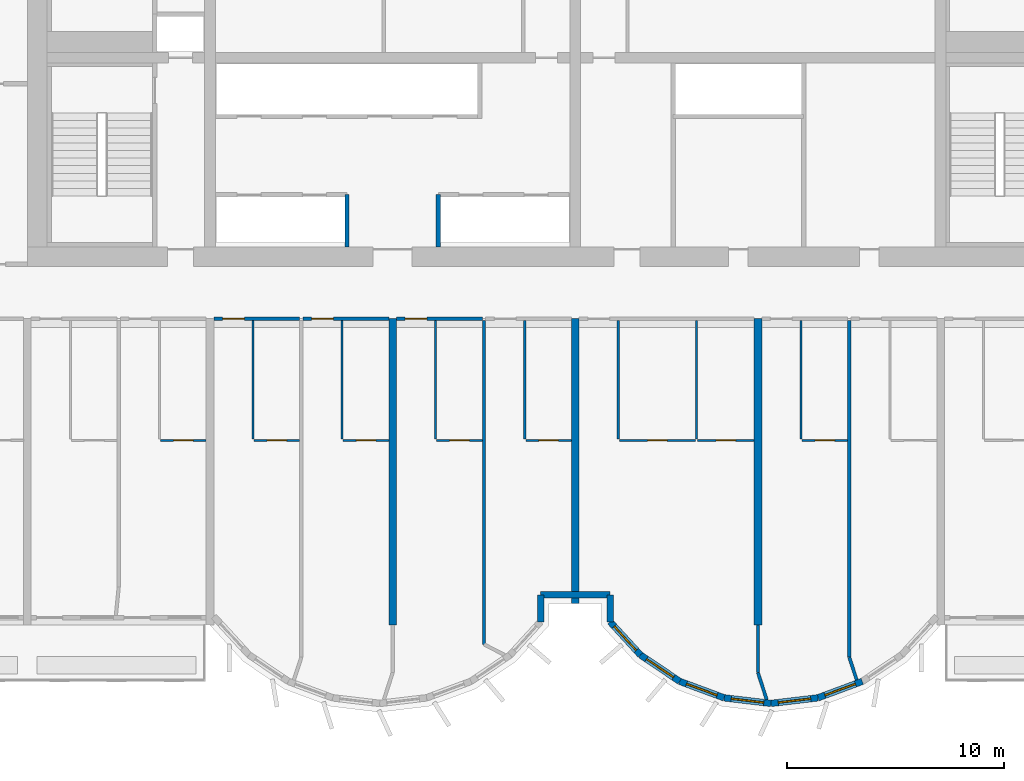
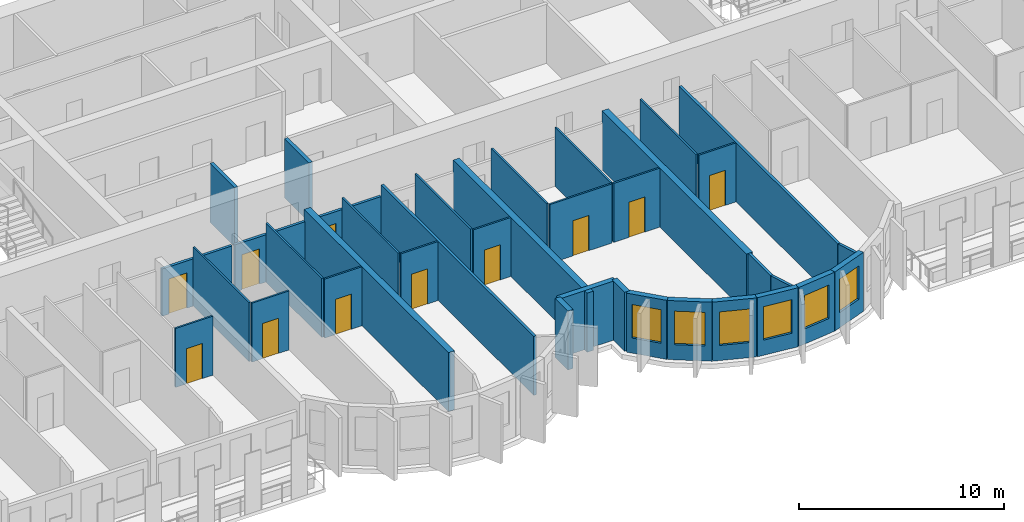
# One storey, part 5 of 14: 37 walls, 11 doors, 6 windows, 17 openings.
"""IFC4 building model written with IfcOpenShell, lengths in metres."""

import ifcopenshell
import ifcopenshell.guid

model = None  # the IFC model being written
_history = None  # IfcOwnerHistory: only IFC2X3 demands one
_inside = {}  # id of a spatial element -> (the spatial element, [elements in it])
_under = {}  # id of a project, library or spatial element -> (it, [spatial elements below it])
_declared = {}  # id of a project -> (the project, [libraries it declares])
_typed = {}  # id of a type object -> (the type object, [elements of that type])
_made_of = {}  # id of a material, layer set ... -> (it, [elements and type objects made of it])


def new_model(schema):
    """Start an empty IFC model of exactly this schema.

    Asked for "IFC4X3", IfcOpenShell would pick the latest addendum, in which some entities
    have other attributes; the version numbers below select the first issue.
    IFC2X3 requires an IfcOwnerHistory on every rooted entity: one is made here for all.
    """
    global model, _history
    if schema == "IFC4X3":
        model = ifcopenshell.file(schema_version=(4, 3, 0, 0))
    else:
        model = ifcopenshell.file(schema=schema)
    _inside.clear()
    _under.clear()
    _declared.clear()
    _typed.clear()
    _made_of.clear()
    _history = None
    if model.schema == "IFC2X3":
        org = make("IfcOrganization", Name="unknown")
        user = make(
            "IfcPersonAndOrganization",
            ThePerson=make("IfcPerson", FamilyName="unknown"),
            TheOrganization=org,
        )
        app = make(
            "IfcApplication",
            ApplicationDeveloper=org,
            Version="unknown",
            ApplicationFullName="unknown",
            ApplicationIdentifier="unknown",
        )
        _history = make(
            "IfcOwnerHistory",
            OwningUser=user,
            OwningApplication=app,
            ChangeAction="ADDED",
            CreationDate=0,
        )
    return model


def make(cls, **values):
    """One entity of the class cls with the attributes given. An attribute that is None is left unset."""
    return model.create_entity(
        cls, **{name: value for name, value in values.items() if value is not None}
    )


def rooted(cls, **values):
    """An entity with a GlobalId (a new one), such as an element, a storey or a relation."""
    return make(cls, GlobalId=ifcopenshell.guid.new(), OwnerHistory=_history, **values)


def si_unit(unit_type, name, prefix=None):
    """IfcSIUnit, for example si_unit("LENGTHUNIT", "METRE", prefix="MILLI")."""
    return make("IfcSIUnit", UnitType=unit_type, Prefix=prefix, Name=name)


def assignment(units):
    """IfcUnitAssignment: the units of a project."""
    return None if units is None else make("IfcUnitAssignment", Units=units)


def point(xyz):
    """IfcCartesianPoint."""
    return None if xyz is None else make("IfcCartesianPoint", Coordinates=xyz)


def direction(xyz):
    """IfcDirection."""
    return None if xyz is None else make("IfcDirection", DirectionRatios=xyz)


def frame(location, z_axis=None, x_axis=None):
    """IfcAxis2Placement3D, a coordinate frame: its origin and axes. An axis left out is left unset."""
    return make(
        "IfcAxis2Placement3D",
        Location=point(location),
        Axis=direction(z_axis),
        RefDirection=direction(x_axis),
    )


def frame_2d(location, x_axis=None):
    """IfcAxis2Placement2D, a coordinate frame in the plane: its origin and x axis."""
    return make(
        "IfcAxis2Placement2D", Location=point(location), RefDirection=direction(x_axis)
    )


def origin():
    """The frame at (0, 0, 0) with its axes left unset."""
    return frame((0.0, 0.0, 0.0))


def place(relative_to, where):
    """IfcLocalPlacement: puts the frame where relative to a parent placement (None: the world)."""
    return make(
        "IfcLocalPlacement", PlacementRelTo=relative_to, RelativePlacement=where
    )


def context(
    kind, dimensions, precision=None, world=None, true_north=None, identifier=None
):
    """IfcGeometricRepresentationContext, for example the 3D "Model" context."""
    return make(
        "IfcGeometricRepresentationContext",
        ContextIdentifier=identifier,
        ContextType=kind,
        CoordinateSpaceDimension=dimensions,
        Precision=precision,
        WorldCoordinateSystem=world,
        TrueNorth=true_north,
    )


def subcontext(parent, identifier, kind, view, scale=None):
    """IfcGeometricRepresentationSubContext, for example "Body" below "Model"."""
    return make(
        "IfcGeometricRepresentationSubContext",
        ContextIdentifier=identifier,
        ContextType=kind,
        ParentContext=parent,
        TargetScale=scale,
        TargetView=view,
    )


def project(units=None, contexts=None):
    """IfcProject with its units and contexts."""
    return rooted(
        "IfcProject",
        Name="project",
        RepresentationContexts=contexts,
        UnitsInContext=assignment(units),
    )


def spatial(cls, under=None, at=None, **own):
    """A site, building, storey or space (cls), placed at a placement, below another one or the project."""
    s = rooted(cls, ObjectPlacement=at, **own)
    if under is not None:
        _under.setdefault(under.id(), (under, []))[1].append(s)
    return s


def profile(cls, at=None, kind="AREA", **sizes):
    """A parametric profile (cls). Its sizes go by their IFC names, for example OverallWidth=200.0."""
    return make(cls, ProfileType=kind, Position=at, **sizes)


def rectangle(**sizes):
    """IfcRectangleProfileDef."""
    return profile("IfcRectangleProfileDef", **sizes)


def extrude(swept, where, along, depth):
    """IfcExtrudedAreaSolid: the profile swept, set in the frame where, extruded along a direction by depth."""
    return make(
        "IfcExtrudedAreaSolid",
        SweptArea=swept,
        Position=where,
        ExtrudedDirection=direction(along),
        Depth=depth,
    )


def shape(context_of_items, identifier, shape_type, items):
    """IfcShapeRepresentation: the items that make up one representation, for example the "Body"."""
    return make(
        "IfcShapeRepresentation",
        ContextOfItems=context_of_items,
        RepresentationIdentifier=identifier,
        RepresentationType=shape_type,
        Items=items,
    )


def source(mapping_origin, context_of_items, identifier, shape_type, items):
    """IfcRepresentationMap: a shape defined once, which mapped items show again and again."""
    return make(
        "IfcRepresentationMap",
        MappingOrigin=mapping_origin,
        MappedRepresentation=shape(context_of_items, identifier, shape_type, items),
    )


def transform(
    local_origin,
    x_axis=None,
    y_axis=None,
    z_axis=None,
    scale=None,
    scale2=None,
    scale3=None,
    uniform=True,
):
    """IfcCartesianTransformationOperator3D, or its non-uniform kind. x_axis, y_axis, z_axis: its Axis1, 2, 3."""
    if uniform:
        return make(
            "IfcCartesianTransformationOperator3D",
            Axis1=direction(x_axis),
            Axis2=direction(y_axis),
            LocalOrigin=point(local_origin),
            Scale=scale,
            Axis3=direction(z_axis),
        )
    return make(
        "IfcCartesianTransformationOperator3DnonUniform",
        Axis1=direction(x_axis),
        Axis2=direction(y_axis),
        LocalOrigin=point(local_origin),
        Scale=scale,
        Axis3=direction(z_axis),
        Scale2=scale2,
        Scale3=scale3,
    )


def mapped(mapping_source, mapping_target):
    """IfcMappedItem: shows the shape of a source again, moved by a transform."""
    return make(
        "IfcMappedItem", MappingSource=mapping_source, MappingTarget=mapping_target
    )


def material(Name=None, Category=None):
    """IfcMaterial."""
    return make("IfcMaterial", Name=Name, Category=Category)


def layer(
    of_material, thickness, ventilated=None, Name=None, Category=None, Priority=None
):
    """IfcMaterialLayer: one layer of a wall or slab, of a material (None: an air gap)."""
    return make(
        "IfcMaterialLayer",
        Material=of_material,
        LayerThickness=thickness,
        IsVentilated=ventilated,
        Name=Name,
        Category=Category,
        Priority=Priority,
    )


def layer_set(layers, Name=None):
    """IfcMaterialLayerSet."""
    return make("IfcMaterialLayerSet", MaterialLayers=layers, LayerSetName=Name)


def made_of(thing, what):
    """Note that an element or type object is made of a material, layer set ...; save() writes the relation."""
    if what is not None:
        _made_of.setdefault(what.id(), (what, []))[1].append(thing)
    return thing


def type_object(cls, material=None, **own):
    """A type object (cls), such as IfcWallType, which elements share."""
    return made_of(rooted(cls, **own), material)


def element(
    cls,
    number,
    at=None,
    inside=None,
    cuts=None,
    type_object=None,
    material=None,
    context=None,
    identifier="Body",
    shape_type=None,
    held_by="IfcProductDefinitionShape",
    body=None,
    shapes=None,
    **own,
):
    """One element of the class cls, such as IfcWall. Its Tag is "e" and its number.

    at: its placement. inside: the storey or other place that contains it. cuts: it is an
    opening in that element (IfcRelVoidsElement). A single representation is given by context,
    identifier, shape_type and body (its items); several are given by shapes. held_by: the class
    of the entity that holds the representations. save() writes the other relations.
    """
    e = rooted(cls, Tag="e%d" % number, ObjectPlacement=at, **own)
    if body is not None:
        shapes = [shape(context, identifier, shape_type, body)]
    if shapes is not None:
        e.Representation = make(held_by, Representations=shapes)
    if inside is not None:
        _inside.setdefault(inside.id(), (inside, []))[1].append(e)
    if cuts is not None:
        rooted(
            "IfcRelVoidsElement", RelatingBuildingElement=cuts, RelatedOpeningElement=e
        )
    if type_object is not None:
        _typed.setdefault(type_object.id(), (type_object, []))[1].append(e)
    return made_of(e, material)


def fill(opening, filler):
    """IfcRelFillsElement: the door or window that sits in an opening."""
    return rooted(
        "IfcRelFillsElement",
        RelatingOpeningElement=opening,
        RelatedBuildingElement=filler,
    )


def aggregate(whole, parts):
    """IfcRelAggregates: a whole, such as a stair, and the parts it consists of."""
    return rooted("IfcRelAggregates", RelatingObject=whole, RelatedObjects=parts)


def save(model, path):
    """Write the relations noted so far, then the file.

    IfcRelAggregates (storeys below a building ...), IfcRelContainedInSpatialStructure (elements
    in a storey), IfcRelDefinesByType, IfcRelAssociatesMaterial and IfcRelDeclares: one each for
    every whole, place, type object, material and project.
    """
    for whole, parts in _under.values():
        aggregate(whole, parts)
    for where, things in _inside.values():
        rooted(
            "IfcRelContainedInSpatialStructure",
            RelatedElements=things,
            RelatingStructure=where,
        )
    for kind, things in _typed.values():
        rooted("IfcRelDefinesByType", RelatedObjects=things, RelatingType=kind)
    for what, things in _made_of.values():
        rooted("IfcRelAssociatesMaterial", RelatedObjects=things, RelatingMaterial=what)
    for by, libraries in _declared.values():
        rooted("IfcRelDeclares", RelatingContext=by, RelatedDefinitions=libraries)
    model.write(path)


model = new_model("IFC4")

# Units and contexts
model_context = context("Model", 3, precision=1e-05, world=origin(), true_north=direction((0.0, 1.0)))
body_context = subcontext(model_context, "Body", "Model", "MODEL_VIEW")
ifc_project = project(units=[si_unit("LENGTHUNIT", "METRE"), si_unit("AREAUNIT", "SQUARE_METRE"), si_unit("VOLUMEUNIT", "CUBIC_METRE"), si_unit("PLANEANGLEUNIT", "RADIAN"), si_unit("MASSUNIT", "GRAM", prefix="KILO")], contexts=[model_context])

# Site, building, storey
site_placement = place(None, origin())
site = spatial("IfcSite", under=ifc_project, at=site_placement, CompositionType="ELEMENT")
building_placement = place(site_placement, origin())
building = spatial("IfcBuilding", under=site, at=building_placement, Name="Vanashikhar Sky Hotel", CompositionType="ELEMENT")
storey_placement = place(building_placement, frame((0.0, 0.0, 102.800048828125)))
storey = spatial("IfcBuildingStorey", under=building, at=storey_placement, Name="L24", CompositionType="ELEMENT", Elevation=102.800048828125)

# Walls
ifc_material_1 = material(Name="Concrete M70", Category="concrete")
ifc_layer_1 = layer(ifc_material_1, 0.35009765625)
ifc_layer_set_1 = layer_set([ifc_layer_1], Name="RC shear wall 350 Concrete M70")
wall_type_1 = type_object("IfcWallType", Name="RC shear wall 350 Concrete M70", PredefinedType="SHEAR", material=ifc_layer_set_1)
shared_shape_1 = source(origin(), body_context, "Body", "SweptSolid", [
    extrude(rectangle(XDim=14.10009765625, YDim=0.35009765625, at=frame_2d((7.050048828125, 0.0))), origin(), (0.0, 0.0, 1.0), 3.52001953125),
])
for number, where, z_axis, x_axis, name in (
    (1, (42.0, 5.5, 0.0), (0.0, 0.0, 1.0), (0.0, 1.0, 0.0), "CW-L24-XW06-1"),
    (2, (58.800048828125, 5.5, 0.0), (0.0, 0.0, 1.0), (0.0, 1.0, 0.0), "CW-L24-XW08-1"),
):
    element("IfcWall", number, at=place(storey_placement, frame(where, z_axis=z_axis, x_axis=x_axis)), inside=storey, type_object=wall_type_1, Name=name, PredefinedType="SHEAR", context=body_context, shape_type="MappedRepresentation", body=[
        mapped(shared_shape_1, transform((0.0, 0.0, 0.0), scale=1.0)),
    ])
shared_shape_2 = source(origin(), body_context, "Body", "SweptSolid", [
    extrude(rectangle(XDim=13.10009765625, YDim=0.35009765625, at=frame_2d((6.550048828125, 0.0))), origin(), (0.0, 0.0, 1.0), 3.52001953125),
])
wall_1_placement = place(storey_placement, frame((50.39990234375, 6.5, 0.0), z_axis=(0.0, 0.0, 1.0), x_axis=(0.0, 1.0, 0.0)))
element("IfcWall", 3, at=wall_1_placement, inside=storey, type_object=wall_type_1, Name="CW-L24-XW07-1", PredefinedType="SHEAR", context=body_context, shape_type="MappedRepresentation", body=[
    mapped(shared_shape_2, transform((0.0, 0.0, 0.0), scale=1.0)),
])

# Wall, opening, window
ifc_material_2 = material(Name="Concrete M50", Category="concrete")
ifc_layer_2 = layer(ifc_material_2, 0.300048828125)
ifc_layer_set_2 = layer_set([ifc_layer_2], Name="Lobe wall 300")
wall_type_2 = type_object("IfcWallType", Name="Lobe wall 300", PredefinedType="SOLIDWALL", material=ifc_layer_set_2)
shared_shape_3 = source(origin(), body_context, "Body", "SweptSolid", [
    extrude(rectangle(XDim=2.17578125, YDim=0.300048828125, at=frame_2d((1.087890625, 0.0))), origin(), (0.0, 0.0, 1.0), 3.52001953125),
])
wall_2_placement = place(storey_placement, frame((53.395751953125, 4.13134765625, 0.0), z_axis=(0.0, 0.0, 1.0), x_axis=(0.829590746428, -0.558371913192, 0.0)))
wall_2 = element("IfcWall", 4, at=wall_2_placement, inside=storey, type_object=wall_type_2, Name="Lobe wall", PredefinedType="SOLIDWALL", context=body_context, shape_type="MappedRepresentation", body=[
    mapped(shared_shape_3, transform((0.0, 0.0, 0.0), scale=1.0)),
])
shared_shape_4 = source(origin(), body_context, "Body", "SweptSolid", [
    extrude(rectangle(XDim=1.5, YDim=2.0, at=frame_2d((0.75, 1.0))), frame((0.0, 0.16015625, 0.0), z_axis=(0.0, -1.0, 0.0), x_axis=(1.0, 0.0, 0.0)), (0.0, 0.0, 1.0), 0.320068359375),
])
opening_1_placement = place(wall_2_placement, frame((0.337890625, 0.0, 0.89990234375)))
opening_1 = element("IfcOpeningElement", 5, at=opening_1_placement, cuts=wall_2, Name="Opening WN-2", PredefinedType="OPENING", context=body_context, shape_type="MappedRepresentation", body=[
    mapped(shared_shape_4, transform((0.0, 0.0, 0.0), scale=1.0)),
])
ifc_material_3 = material(Name="Glass", Category="glass")
window_type = type_object("IfcWindowType", Name="Lobe window 1500 x 2000", PartitioningType="SINGLE_PANEL", PredefinedType="WINDOW", material=ifc_material_3)
shared_shape_5 = source(origin(), body_context, "Body", "SweptSolid", [
    extrude(rectangle(XDim=1.5, YDim=2.0, at=frame_2d((0.75, 1.0))), frame((0.0, 0.030029296875, 0.0), z_axis=(0.0, -1.0, 0.0), x_axis=(1.0, 0.0, 0.0)), (0.0, 0.0, 1.0), 0.06005859375),
])
window_1_placement = place(opening_1_placement, origin())
window_1 = element("IfcWindow", 6, at=window_1_placement, inside=storey, type_object=window_type, Name="Window WN-2", OverallHeight=2.0, OverallWidth=1.5, PartitioningType="SINGLE_PANEL", PredefinedType="WINDOW", context=body_context, shape_type="MappedRepresentation", body=[
    mapped(shared_shape_5, transform((0.0, 0.0, 0.0), scale=1.0)),
])
fill(opening_1, window_1)

wall_3_placement = place(storey_placement, frame((55.20068359375, 2.91650390625, 0.0), z_axis=(0.0, 0.0, 1.0), x_axis=(0.93754555999, -0.347862505801, 0.0)))
wall_3 = element("IfcWall", 7, at=wall_3_placement, inside=storey, type_object=wall_type_2, Name="Lobe wall", PredefinedType="SOLIDWALL", context=body_context, shape_type="MappedRepresentation", body=[
    mapped(shared_shape_3, transform((0.0, 0.0, 0.0), scale=1.0)),
])
opening_2_placement = place(wall_3_placement, frame((0.337890625, 0.0, 0.89990234375)))
opening_2 = element("IfcOpeningElement", 8, at=opening_2_placement, cuts=wall_3, Name="Opening WN-2", PredefinedType="OPENING", context=body_context, shape_type="MappedRepresentation", body=[
    mapped(shared_shape_4, transform((0.0, 0.0, 0.0), scale=1.0)),
])
window_2_placement = place(opening_2_placement, origin())
window_2 = element("IfcWindow", 9, at=window_2_placement, inside=storey, type_object=window_type, Name="Window WN-2", OverallHeight=2.0, OverallWidth=1.5, PartitioningType="SINGLE_PANEL", PredefinedType="WINDOW", context=body_context, shape_type="MappedRepresentation", body=[
    mapped(shared_shape_5, transform((0.0, 0.0, 0.0), scale=1.0)),
])
fill(opening_2, window_2)

shared_shape_6 = source(origin(), body_context, "Body", "SweptSolid", [
    extrude(rectangle(XDim=2.174560546875, YDim=0.300048828125, at=frame_2d((1.08740234375, 0.0))), origin(), (0.0, 0.0, 1.0), 3.52001953125),
])
wall_4_placement = place(storey_placement, frame((57.240478515625, 2.15966796875, 0.0), z_axis=(0.0, 0.0, 1.0), x_axis=(0.993001132889, -0.118104826659, 0.0)))
wall_4 = element("IfcWall", 10, at=wall_4_placement, inside=storey, type_object=wall_type_2, Name="Lobe wall", PredefinedType="SOLIDWALL", context=body_context, shape_type="MappedRepresentation", body=[
    mapped(shared_shape_6, transform((0.0, 0.0, 0.0), scale=1.0)),
])
opening_3_placement = place(wall_4_placement, frame((0.33740234375, 0.0, 0.89990234375)))
opening_3 = element("IfcOpeningElement", 11, at=opening_3_placement, cuts=wall_4, Name="Opening WN-2", PredefinedType="OPENING", context=body_context, shape_type="MappedRepresentation", body=[
    mapped(shared_shape_4, transform((0.0, 0.0, 0.0), scale=1.0)),
])
window_3_placement = place(opening_3_placement, origin())
window_3 = element("IfcWindow", 12, at=window_3_placement, inside=storey, type_object=window_type, Name="Window WN-2", OverallHeight=2.0, OverallWidth=1.5, PartitioningType="SINGLE_PANEL", PredefinedType="WINDOW", context=body_context, shape_type="MappedRepresentation", body=[
    mapped(shared_shape_5, transform((0.0, 0.0, 0.0), scale=1.0)),
])
fill(opening_3, window_3)

shared_shape_7 = source(origin(), body_context, "Body", "SweptSolid", [
    extrude(rectangle(XDim=2.1748046875, YDim=0.300048828125, at=frame_2d((1.08740234375, 0.0))), origin(), (0.0, 0.0, 1.0), 3.52001953125),
])
wall_5_placement = place(storey_placement, frame((59.39990234375, 1.90283203125, 0.0), z_axis=(0.0, 0.0, 1.0), x_axis=(0.993002698611, 0.118091661648, 0.0)))
wall_5 = element("IfcWall", 13, at=wall_5_placement, inside=storey, type_object=wall_type_2, Name="Lobe wall", PredefinedType="SOLIDWALL", context=body_context, shape_type="MappedRepresentation", body=[
    mapped(shared_shape_7, transform((0.0, 0.0, 0.0), scale=1.0)),
])
opening_4_placement = place(wall_5_placement, frame((0.33740234375, 0.0, 0.89990234375)))
opening_4 = element("IfcOpeningElement", 14, at=opening_4_placement, cuts=wall_5, Name="Opening WN-2", PredefinedType="OPENING", context=body_context, shape_type="MappedRepresentation", body=[
    mapped(shared_shape_4, transform((0.0, 0.0, 0.0), scale=1.0)),
])
window_4_placement = place(opening_4_placement, origin())
window_4 = element("IfcWindow", 15, at=window_4_placement, inside=storey, type_object=window_type, Name="Window WN-2", OverallHeight=2.0, OverallWidth=1.5, PartitioningType="SINGLE_PANEL", PredefinedType="WINDOW", context=body_context, shape_type="MappedRepresentation", body=[
    mapped(shared_shape_5, transform((0.0, 0.0, 0.0), scale=1.0)),
])
fill(opening_4, window_4)

shared_shape_8 = source(origin(), body_context, "Body", "SweptSolid", [
    extrude(rectangle(XDim=2.175537109375, YDim=0.300048828125, at=frame_2d((1.087890625, 0.0))), origin(), (0.0, 0.0, 1.0), 3.52001953125),
])
wall_6_placement = place(storey_placement, frame((61.5595703125, 2.15966796875, 0.0), z_axis=(0.0, 0.0, 1.0), x_axis=(0.937531979054, 0.347899106424, 0.0)))
wall_6 = element("IfcWall", 16, at=wall_6_placement, inside=storey, type_object=wall_type_2, Name="Lobe wall", PredefinedType="SOLIDWALL", context=body_context, shape_type="MappedRepresentation", body=[
    mapped(shared_shape_8, transform((0.0, 0.0, 0.0), scale=1.0)),
])
opening_5_placement = place(wall_6_placement, frame((0.337890625, 0.0, 0.89990234375)))
opening_5 = element("IfcOpeningElement", 17, at=opening_5_placement, cuts=wall_6, Name="Opening WN-2", PredefinedType="OPENING", context=body_context, shape_type="MappedRepresentation", body=[
    mapped(shared_shape_4, transform((0.0, 0.0, 0.0), scale=1.0)),
])
window_5_placement = place(opening_5_placement, origin())
window_5 = element("IfcWindow", 18, at=window_5_placement, inside=storey, type_object=window_type, Name="Window WN-2", OverallHeight=2.0, OverallWidth=1.5, PartitioningType="SINGLE_PANEL", PredefinedType="WINDOW", context=body_context, shape_type="MappedRepresentation", body=[
    mapped(shared_shape_5, transform((0.0, 0.0, 0.0), scale=1.0)),
])
fill(opening_5, window_5)

shared_shape_9 = source(origin(), body_context, "Body", "SweptSolid", [
    extrude(rectangle(XDim=2.066650390625, YDim=0.300048828125, at=frame_2d((1.033203125, 0.0))), origin(), (0.0, 0.0, 1.0), 3.52001953125),
])
wall_7_placement = place(storey_placement, frame((52.0, 5.655517578125, 0.0), z_axis=(0.0, 0.0, 1.0), x_axis=(0.675355439877, -0.737492393065, 0.0)))
wall_7 = element("IfcWall", 19, at=wall_7_placement, inside=storey, type_object=wall_type_2, Name="Lobe wall", PredefinedType="SOLIDWALL", context=body_context, shape_type="MappedRepresentation", body=[
    mapped(shared_shape_9, transform((0.0, 0.0, 0.0), scale=1.0)),
])
opening_6_placement = place(wall_7_placement, frame((0.283447265625, 0.0, 0.89990234375)))
opening_6 = element("IfcOpeningElement", 20, at=opening_6_placement, cuts=wall_7, Name="Opening WN-2", PredefinedType="OPENING", context=body_context, shape_type="MappedRepresentation", body=[
    mapped(shared_shape_4, transform((0.0, 0.0, 0.0), scale=1.0)),
])
window_6_placement = place(opening_6_placement, origin())
window_6 = element("IfcWindow", 21, at=window_6_placement, inside=storey, type_object=window_type, Name="Window WN-2", OverallHeight=2.0, OverallWidth=1.5, PartitioningType="SINGLE_PANEL", PredefinedType="WINDOW", context=body_context, shape_type="MappedRepresentation", body=[
    mapped(shared_shape_5, transform((0.0, 0.0, 0.0), scale=1.0)),
])
fill(opening_6, window_6)

# Walls
shared_shape_10 = source(origin(), body_context, "Body", "SweptSolid", [
    extrude(rectangle(XDim=1.244384765625, YDim=0.300048828125, at=frame_2d((0.6220703125, 0.0))), origin(), (0.0, 0.0, 1.0), 3.52001953125),
])
for number, where, z_axis, x_axis, name in (
    (22, (48.800048828125, 5.655517578125, 0.0), (0.0, 0.0, 1.0), (0.0, 1.0, 0.0), "Groove wall"),
    (23, (52.0, 6.89990234375, 0.0), (0.0, 0.0, 1.0), (0.0, -1.0, 0.0), "Groove wall"),
):
    element("IfcWall", number, at=place(storey_placement, frame(where, z_axis=z_axis, x_axis=x_axis)), inside=storey, type_object=wall_type_2, Name=name, PredefinedType="SOLIDWALL", context=body_context, shape_type="MappedRepresentation", body=[
        mapped(shared_shape_10, transform((0.0, 0.0, 0.0), scale=1.0)),
    ])
shared_shape_11 = source(origin(), body_context, "Body", "SweptSolid", [
    extrude(rectangle(XDim=3.199951171875, YDim=0.300048828125, at=frame_2d((1.60009765625, 0.0))), origin(), (0.0, 0.0, 1.0), 3.52001953125),
])
wall_8_placement = place(storey_placement, frame((48.800048828125, 6.89990234375, 0.0), z_axis=(0.0, 0.0, 1.0), x_axis=(1.0, 0.0, 0.0)))
element("IfcWall", 24, at=wall_8_placement, inside=storey, type_object=wall_type_2, Name="Groove wall", PredefinedType="SOLIDWALL", context=body_context, shape_type="MappedRepresentation", body=[
    mapped(shared_shape_11, transform((0.0, 0.0, 0.0), scale=1.0)),
])
ifc_material_4 = material(Name="Concrete M40", Category="concrete")
ifc_layer_3 = layer(ifc_material_4, 0.199951171875)
ifc_layer_set_3 = layer_set([ifc_layer_3], Name="Shaft wall 200")
wall_type_3 = type_object("IfcWallType", Name="Shaft wall 200", PredefinedType="SOLIDWALL", material=ifc_layer_set_3)
shared_shape_12 = source(origin(), body_context, "Body", "SweptSolid", [
    extrude(rectangle(XDim=2.400146484375, YDim=0.199951171875, at=frame_2d((1.2001953125, 0.0))), origin(), (0.0, 0.0, 1.0), 3.52001953125),
])
for number, where, z_axis, x_axis, name in (
    (25, (39.89990234375, 22.89990234375, 0.0), (0.0, 0.0, 1.0), (0.0, 1.0, 0.0), "Shaft wall 200"),
    (26, (44.10009765625, 22.89990234375, 0.0), (0.0, 0.0, 1.0), (0.0, 1.0, 0.0), "Shaft wall 200"),
):
    element("IfcWall", number, at=place(storey_placement, frame(where, z_axis=z_axis, x_axis=x_axis)), inside=storey, type_object=wall_type_3, Name=name, PredefinedType="SOLIDWALL", context=body_context, shape_type="MappedRepresentation", body=[
        mapped(shared_shape_12, transform((0.0, 0.0, 0.0), scale=1.0)),
    ])
ifc_material_5 = material(Name="Gypsum plasterboard partition")
ifc_layer_4 = layer(ifc_material_5, 0.14990234375)
ifc_layer_set_4 = layer_set([ifc_layer_4], Name="Corridor and demising partition 150")
wall_type_4 = type_object("IfcWallType", Name="Corridor and demising partition 150", PredefinedType="PARTITIONING", material=ifc_layer_set_4)
shared_shape_13 = source(origin(), body_context, "Body", "SweptSolid", [
    extrude(rectangle(XDim=2.177978515625, YDim=0.14990234375, at=frame_2d((1.0888671875, 0.0))), origin(), (0.0, 0.0, 1.0), 3.52001953125),
])
wall_9_placement = place(storey_placement, frame((58.800048828125, 3.322021484375, 0.0), z_axis=(0.0, 0.0, 1.0), x_axis=(0.0, 1.0, 0.0)))
element("IfcWall", 27, at=wall_9_placement, inside=storey, type_object=wall_type_4, Name="W-L24-PW080", PredefinedType="PARTITIONING", context=body_context, shape_type="MappedRepresentation", body=[
    mapped(shared_shape_13, transform((0.0, 0.0, 0.0), scale=1.0)),
])

# Wall, opening, door
ifc_layer_5 = layer(ifc_material_5, 0.10009765625)
ifc_layer_set_5 = layer_set([ifc_layer_5], Name="Wet room partition 100")
wall_type_5 = type_object("IfcWallType", Name="Wet room partition 100", PredefinedType="PARTITIONING", material=ifc_layer_set_5)
shared_shape_14 = source(origin(), body_context, "Body", "SweptSolid", [
    extrude(rectangle(XDim=3.5, YDim=0.10009765625, at=frame_2d((1.75, 0.0))), origin(), (0.0, 0.0, 1.0), 3.52001953125),
])
wall_10_placement = place(storey_placement, frame((52.425048828125, 14.0, 0.0), z_axis=(0.0, 0.0, 1.0), x_axis=(1.0, 0.0, 0.0)))
wall_10 = element("IfcWall", 28, at=wall_10_placement, inside=storey, type_object=wall_type_5, Name="W-L24-PW045", PredefinedType="PARTITIONING", context=body_context, shape_type="MappedRepresentation", body=[
    mapped(shared_shape_14, transform((0.0, 0.0, 0.0), scale=1.0)),
])
shared_shape_15 = source(origin(), body_context, "Body", "SweptSolid", [
    extrude(rectangle(XDim=0.89990234375, YDim=2.10009765625, at=frame_2d((0.449951171875, 1.050048828125))), frame((0.0, 0.06005859375, 0.0), z_axis=(0.0, -1.0, 0.0), x_axis=(1.0, 0.0, 0.0)), (0.0, 0.0, 1.0), 0.1201171875),
])
opening_7_placement = place(wall_10_placement, frame((1.300048828125, 0.0, 0.0)))
opening_7 = element("IfcOpeningElement", 29, at=opening_7_placement, cuts=wall_10, Name="Opening D-02", PredefinedType="OPENING", context=body_context, shape_type="MappedRepresentation", body=[
    mapped(shared_shape_15, transform((0.0, 0.0, 0.0), scale=1.0)),
])
ifc_material_6 = material(Name="Timber door", Category="wood")
door_type_1 = type_object("IfcDoorType", Name="Internal door 900", OperationType="NOTDEFINED", PredefinedType="DOOR", material=ifc_material_6)
shared_shape_16 = source(origin(), body_context, "Body", "SweptSolid", [
    extrude(rectangle(XDim=0.89990234375, YDim=2.10009765625, at=frame_2d((0.449951171875, 1.050048828125))), frame((0.0, 0.02490234375, 0.0), z_axis=(0.0, -1.0, 0.0), x_axis=(1.0, 0.0, 0.0)), (0.0, 0.0, 1.0), 0.050048828125),
])
door_1_placement = place(opening_7_placement, origin())
door_1 = element("IfcDoor", 30, at=door_1_placement, inside=storey, type_object=door_type_1, Name="D-L24-025", OperationType="SINGLE_SWING_LEFT", OverallHeight=2.10009765625, OverallWidth=0.89990234375, PredefinedType="DOOR", context=body_context, shape_type="MappedRepresentation", body=[
    mapped(shared_shape_16, transform((0.0, 0.0, 0.0), scale=1.0)),
])
fill(opening_7, door_1)

# Walls
shared_shape_17 = source(origin(), body_context, "Body", "SweptSolid", [
    extrude(rectangle(XDim=1.100830078125, YDim=0.14990234375, at=frame_2d((0.55029296875, 0.0))), origin(), (0.0, 0.0, 1.0), 3.52001953125),
])
wall_11_placement = place(storey_placement, frame((63.343017578125, 2.98095703125, 0.0), z_axis=(0.0, 0.0, 1.0), x_axis=(-0.311567081539, 0.950224159712, 0.0)))
element("IfcWall", 31, at=wall_11_placement, inside=storey, type_object=wall_type_4, Name="W-L24-PW054B0", PredefinedType="PARTITIONING", context=body_context, shape_type="MappedRepresentation", body=[
    mapped(shared_shape_17, transform((0.0, 0.0, 0.0), scale=1.0)),
])
shared_shape_18 = source(origin(), body_context, "Body", "SweptSolid", [
    extrude(rectangle(XDim=1.308349609375, YDim=0.14990234375, at=frame_2d((0.654296875, 0.0))), origin(), (0.0, 0.0, 1.0), 3.52001953125),
])
wall_12_placement = place(storey_placement, frame((59.201904296875, 2.076904296875, 0.0), z_axis=(0.0, 0.0, 1.0), x_axis=(-0.307144529633, 0.951662880392, 0.0)))
element("IfcWall", 32, at=wall_12_placement, inside=storey, type_object=wall_type_4, Name="W-L24-PW080B0", PredefinedType="PARTITIONING", context=body_context, shape_type="MappedRepresentation", body=[
    mapped(shared_shape_18, transform((0.0, 0.0, 0.0), scale=1.0)),
])
shared_shape_19 = source(origin(), body_context, "Body", "SweptSolid", [
    extrude(rectangle(XDim=5.449951171875, YDim=0.10009765625, at=frame_2d((2.72509765625, 0.0))), origin(), (0.0, 0.0, 1.0), 3.52001953125),
])
for number, where, z_axis, x_axis, name in (
    (33, (35.574951171875, 14.074951171875, 0.0), (0.0, 0.0, 1.0), (0.0, 1.0, 0.0), "W-L24-PW029"),
    (34, (39.675048828125, 14.074951171875, 0.0), (0.0, 0.0, 1.0), (0.0, 1.0, 0.0), "W-L24-PW032"),
    (35, (43.97509765625, 14.074951171875, 0.0), (0.0, 0.0, 1.0), (0.0, 1.0, 0.0), "W-L24-PW036"),
    (36, (48.074951171875, 14.074951171875, 0.0), (0.0, 0.0, 1.0), (0.0, 1.0, 0.0), "W-L24-PW039"),
    (37, (52.375, 14.074951171875, 0.0), (0.0, 0.0, 1.0), (0.0, 1.0, 0.0), "W-L24-PW043"),
    (38, (55.97509765625, 14.074951171875, 0.0), (0.0, 0.0, 1.0), (0.0, 1.0, 0.0), "W-L24-PW044"),
    (39, (60.77490234375, 14.074951171875, 0.0), (0.0, 0.0, 1.0), (0.0, 1.0, 0.0), "W-L24-PW048"),
):
    element("IfcWall", number, at=place(storey_placement, frame(where, z_axis=z_axis, x_axis=x_axis)), inside=storey, type_object=wall_type_5, Name=name, PredefinedType="PARTITIONING", context=body_context, shape_type="MappedRepresentation", body=[
        mapped(shared_shape_19, transform((0.0, 0.0, 0.0), scale=1.0)),
    ])

# Wall, opening, door
shared_shape_20 = source(origin(), body_context, "Body", "SweptSolid", [
    extrude(rectangle(XDim=2.10009765625, YDim=0.10009765625, at=frame_2d((1.050048828125, 0.0))), origin(), (0.0, 0.0, 1.0), 3.52001953125),
])
wall_13_placement = place(storey_placement, frame((31.324951171875, 14.0, 0.0), z_axis=(0.0, 0.0, 1.0), x_axis=(1.0, 0.0, 0.0)))
wall_13 = element("IfcWall", 40, at=wall_13_placement, inside=storey, type_object=wall_type_5, Name="W-L24-PW026", PredefinedType="PARTITIONING", context=body_context, shape_type="MappedRepresentation", body=[
    mapped(shared_shape_20, transform((0.0, 0.0, 0.0), scale=1.0)),
])
opening_8_placement = place(wall_13_placement, frame((0.60009765625, 0.0, 0.0)))
opening_8 = element("IfcOpeningElement", 41, at=opening_8_placement, cuts=wall_13, Name="Opening D-02", PredefinedType="OPENING", context=body_context, shape_type="MappedRepresentation", body=[
    mapped(shared_shape_15, transform((0.0, 0.0, 0.0), scale=1.0)),
])
door_2_placement = place(opening_8_placement, origin())
door_2 = element("IfcDoor", 42, at=door_2_placement, inside=storey, type_object=door_type_1, Name="D-L24-015", OperationType="SINGLE_SWING_LEFT", OverallHeight=2.10009765625, OverallWidth=0.89990234375, PredefinedType="DOOR", context=body_context, shape_type="MappedRepresentation", body=[
    mapped(shared_shape_16, transform((0.0, 0.0, 0.0), scale=1.0)),
])
fill(opening_8, door_2)

wall_14_placement = place(storey_placement, frame((35.625, 14.0, 0.0), z_axis=(0.0, 0.0, 1.0), x_axis=(1.0, 0.0, 0.0)))
wall_14 = element("IfcWall", 43, at=wall_14_placement, inside=storey, type_object=wall_type_5, Name="W-L24-PW030", PredefinedType="PARTITIONING", context=body_context, shape_type="MappedRepresentation", body=[
    mapped(shared_shape_20, transform((0.0, 0.0, 0.0), scale=1.0)),
])
opening_9_placement = place(wall_14_placement, frame((0.60009765625, 0.0, 0.0)))
opening_9 = element("IfcOpeningElement", 44, at=opening_9_placement, cuts=wall_14, Name="Opening D-02", PredefinedType="OPENING", context=body_context, shape_type="MappedRepresentation", body=[
    mapped(shared_shape_15, transform((0.0, 0.0, 0.0), scale=1.0)),
])
door_3_placement = place(opening_9_placement, origin())
door_3 = element("IfcDoor", 45, at=door_3_placement, inside=storey, type_object=door_type_1, Name="D-L24-017", OperationType="SINGLE_SWING_LEFT", OverallHeight=2.10009765625, OverallWidth=0.89990234375, PredefinedType="DOOR", context=body_context, shape_type="MappedRepresentation", body=[
    mapped(shared_shape_16, transform((0.0, 0.0, 0.0), scale=1.0)),
])
fill(opening_9, door_3)

wall_15_placement = place(storey_placement, frame((44.02490234375, 14.0, 0.0), z_axis=(0.0, 0.0, 1.0), x_axis=(1.0, 0.0, 0.0)))
wall_15 = element("IfcWall", 46, at=wall_15_placement, inside=storey, type_object=wall_type_5, Name="W-L24-PW037", PredefinedType="PARTITIONING", context=body_context, shape_type="MappedRepresentation", body=[
    mapped(shared_shape_20, transform((0.0, 0.0, 0.0), scale=1.0)),
])
opening_10_placement = place(wall_15_placement, frame((0.60009765625, 0.0, 0.0)))
opening_10 = element("IfcOpeningElement", 47, at=opening_10_placement, cuts=wall_15, Name="Opening D-02", PredefinedType="OPENING", context=body_context, shape_type="MappedRepresentation", body=[
    mapped(shared_shape_15, transform((0.0, 0.0, 0.0), scale=1.0)),
])
door_4_placement = place(opening_10_placement, origin())
door_4 = element("IfcDoor", 48, at=door_4_placement, inside=storey, type_object=door_type_1, Name="D-L24-021", OperationType="SINGLE_SWING_LEFT", OverallHeight=2.10009765625, OverallWidth=0.89990234375, PredefinedType="DOOR", context=body_context, shape_type="MappedRepresentation", body=[
    mapped(shared_shape_16, transform((0.0, 0.0, 0.0), scale=1.0)),
])
fill(opening_10, door_4)

wall_16_placement = place(storey_placement, frame((48.125, 14.0, 0.0), z_axis=(0.0, 0.0, 1.0), x_axis=(1.0, 0.0, 0.0)))
wall_16 = element("IfcWall", 49, at=wall_16_placement, inside=storey, type_object=wall_type_5, Name="W-L24-PW040", PredefinedType="PARTITIONING", context=body_context, shape_type="MappedRepresentation", body=[
    mapped(shared_shape_20, transform((0.0, 0.0, 0.0), scale=1.0)),
])
opening_11_placement = place(wall_16_placement, frame((0.60009765625, 0.0, 0.0)))
opening_11 = element("IfcOpeningElement", 50, at=opening_11_placement, cuts=wall_16, Name="Opening D-02", PredefinedType="OPENING", context=body_context, shape_type="MappedRepresentation", body=[
    mapped(shared_shape_15, transform((0.0, 0.0, 0.0), scale=1.0)),
])
door_5_placement = place(opening_11_placement, origin())
door_5 = element("IfcDoor", 51, at=door_5_placement, inside=storey, type_object=door_type_1, Name="D-L24-023", OperationType="SINGLE_SWING_LEFT", OverallHeight=2.10009765625, OverallWidth=0.89990234375, PredefinedType="DOOR", context=body_context, shape_type="MappedRepresentation", body=[
    mapped(shared_shape_16, transform((0.0, 0.0, 0.0), scale=1.0)),
])
fill(opening_11, door_5)

wall_17_placement = place(storey_placement, frame((60.824951171875, 14.0, 0.0), z_axis=(0.0, 0.0, 1.0), x_axis=(1.0, 0.0, 0.0)))
wall_17 = element("IfcWall", 52, at=wall_17_placement, inside=storey, type_object=wall_type_5, Name="W-L24-PW049", PredefinedType="PARTITIONING", context=body_context, shape_type="MappedRepresentation", body=[
    mapped(shared_shape_20, transform((0.0, 0.0, 0.0), scale=1.0)),
])
opening_12_placement = place(wall_17_placement, frame((0.60009765625, 0.0, 0.0)))
opening_12 = element("IfcOpeningElement", 53, at=opening_12_placement, cuts=wall_17, Name="Opening D-02", PredefinedType="OPENING", context=body_context, shape_type="MappedRepresentation", body=[
    mapped(shared_shape_15, transform((0.0, 0.0, 0.0), scale=1.0)),
])
door_6_placement = place(opening_12_placement, origin())
door_6 = element("IfcDoor", 54, at=door_6_placement, inside=storey, type_object=door_type_1, Name="D-L24-028", OperationType="SINGLE_SWING_LEFT", OverallHeight=2.10009765625, OverallWidth=0.89990234375, PredefinedType="DOOR", context=body_context, shape_type="MappedRepresentation", body=[
    mapped(shared_shape_16, transform((0.0, 0.0, 0.0), scale=1.0)),
])
fill(opening_12, door_6)

shared_shape_21 = source(origin(), body_context, "Body", "SweptSolid", [
    extrude(rectangle(XDim=3.9501953125, YDim=0.14990234375, at=frame_2d((1.97509765625, 0.0))), origin(), (0.0, 0.0, 1.0), 2.820068359375),
])
wall_18_placement = place(storey_placement, frame((33.77490234375, 19.60009765625, 0.0), z_axis=(0.0, 0.0, 1.0), x_axis=(1.0, 0.0, 0.0)))
wall_18 = element("IfcWall", 55, at=wall_18_placement, inside=storey, type_object=wall_type_4, Name="W-L24-PW031", PredefinedType="PARTITIONING", context=body_context, shape_type="MappedRepresentation", body=[
    mapped(shared_shape_21, transform((0.0, 0.0, 0.0), scale=1.0)),
])
shared_shape_22 = source(origin(), body_context, "Body", "SweptSolid", [
    extrude(rectangle(XDim=1.0, YDim=2.10009765625, at=frame_2d((0.5, 1.050048828125))), frame((0.0, 0.0849609375, 0.0), z_axis=(0.0, -1.0, 0.0), x_axis=(1.0, 0.0, 0.0)), (0.0, 0.0, 1.0), 0.169921875),
])
opening_13_placement = place(wall_18_placement, frame((0.39990234375, 0.0, 0.0)))
opening_13 = element("IfcOpeningElement", 56, at=opening_13_placement, cuts=wall_18, Name="Opening D-01", PredefinedType="OPENING", context=body_context, shape_type="MappedRepresentation", body=[
    mapped(shared_shape_22, transform((0.0, 0.0, 0.0), scale=1.0)),
])
ifc_material_7 = material(Name="Timber fire door", Category="wood")
door_type_2 = type_object("IfcDoorType", Name="Guest entry door 1000 FD30S", OperationType="NOTDEFINED", PredefinedType="DOOR", material=ifc_material_7)
shared_shape_23 = source(origin(), body_context, "Body", "SweptSolid", [
    extrude(rectangle(XDim=1.0, YDim=2.10009765625, at=frame_2d((0.5, 1.050048828125))), frame((0.0, 0.02490234375, 0.0), z_axis=(0.0, -1.0, 0.0), x_axis=(1.0, 0.0, 0.0)), (0.0, 0.0, 1.0), 0.050048828125),
])
door_7_placement = place(opening_13_placement, origin())
door_7 = element("IfcDoor", 57, at=door_7_placement, inside=storey, type_object=door_type_2, Name="D-L24-018", OperationType="SINGLE_SWING_LEFT", OverallHeight=2.10009765625, OverallWidth=1.0, PredefinedType="DOOR", context=body_context, shape_type="MappedRepresentation", body=[
    mapped(shared_shape_23, transform((0.0, 0.0, 0.0), scale=1.0)),
])
fill(opening_13, door_7)

shared_shape_24 = source(origin(), body_context, "Body", "SweptSolid", [
    extrude(rectangle(XDim=2.60009765625, YDim=0.10009765625, at=frame_2d((1.300048828125, 0.0))), origin(), (0.0, 0.0, 1.0), 3.52001953125),
])
wall_19_placement = place(storey_placement, frame((56.02490234375, 14.0, 0.0), z_axis=(0.0, 0.0, 1.0), x_axis=(1.0, 0.0, 0.0)))
wall_19 = element("IfcWall", 58, at=wall_19_placement, inside=storey, type_object=wall_type_5, Name="W-L24-PW046", PredefinedType="PARTITIONING", context=body_context, shape_type="MappedRepresentation", body=[
    mapped(shared_shape_24, transform((0.0, 0.0, 0.0), scale=1.0)),
])
opening_14_placement = place(wall_19_placement, frame((0.85009765625, 0.0, 0.0)))
opening_14 = element("IfcOpeningElement", 59, at=opening_14_placement, cuts=wall_19, Name="Opening D-02", PredefinedType="OPENING", context=body_context, shape_type="MappedRepresentation", body=[
    mapped(shared_shape_15, transform((0.0, 0.0, 0.0), scale=1.0)),
])
door_8_placement = place(opening_14_placement, origin())
door_8 = element("IfcDoor", 60, at=door_8_placement, inside=storey, type_object=door_type_1, Name="D-L24-026", OperationType="SINGLE_SWING_LEFT", OverallHeight=2.10009765625, OverallWidth=0.89990234375, PredefinedType="DOOR", context=body_context, shape_type="MappedRepresentation", body=[
    mapped(shared_shape_16, transform((0.0, 0.0, 0.0), scale=1.0)),
])
fill(opening_14, door_8)

shared_shape_25 = source(origin(), body_context, "Body", "SweptSolid", [
    extrude(rectangle(XDim=3.949951171875, YDim=0.14990234375, at=frame_2d((1.97509765625, 0.0))), origin(), (0.0, 0.0, 1.0), 2.820068359375),
])
wall_20_placement = place(storey_placement, frame((37.875, 19.60009765625, 0.0), z_axis=(0.0, 0.0, 1.0), x_axis=(1.0, 0.0, 0.0)))
wall_20 = element("IfcWall", 61, at=wall_20_placement, inside=storey, type_object=wall_type_4, Name="W-L24-PW034", PredefinedType="PARTITIONING", context=body_context, shape_type="MappedRepresentation", body=[
    mapped(shared_shape_25, transform((0.0, 0.0, 0.0), scale=1.0)),
])
opening_15_placement = place(wall_20_placement, frame((0.39990234375, 0.0, 0.0)))
opening_15 = element("IfcOpeningElement", 62, at=opening_15_placement, cuts=wall_20, Name="Opening D-01", PredefinedType="OPENING", context=body_context, shape_type="MappedRepresentation", body=[
    mapped(shared_shape_22, transform((0.0, 0.0, 0.0), scale=1.0)),
])
door_9_placement = place(opening_15_placement, origin())
door_9 = element("IfcDoor", 63, at=door_9_placement, inside=storey, type_object=door_type_2, Name="D-L24-020", OperationType="SINGLE_SWING_LEFT", OverallHeight=2.10009765625, OverallWidth=1.0, PredefinedType="DOOR", context=body_context, shape_type="MappedRepresentation", body=[
    mapped(shared_shape_23, transform((0.0, 0.0, 0.0), scale=1.0)),
])
fill(opening_15, door_9)

wall_21_placement = place(storey_placement, frame((42.175048828125, 19.60009765625, 0.0), z_axis=(0.0, 0.0, 1.0), x_axis=(1.0, 0.0, 0.0)))
wall_21 = element("IfcWall", 64, at=wall_21_placement, inside=storey, type_object=wall_type_4, Name="W-L24-PW038", PredefinedType="PARTITIONING", context=body_context, shape_type="MappedRepresentation", body=[
    mapped(shared_shape_25, transform((0.0, 0.0, 0.0), scale=1.0)),
])
opening_16_placement = place(wall_21_placement, frame((0.39990234375, 0.0, 0.0)))
opening_16 = element("IfcOpeningElement", 65, at=opening_16_placement, cuts=wall_21, Name="Opening D-01", PredefinedType="OPENING", context=body_context, shape_type="MappedRepresentation", body=[
    mapped(shared_shape_22, transform((0.0, 0.0, 0.0), scale=1.0)),
])
door_10_placement = place(opening_16_placement, origin())
door_10 = element("IfcDoor", 66, at=door_10_placement, inside=storey, type_object=door_type_2, Name="D-L24-022", OperationType="SINGLE_SWING_LEFT", OverallHeight=2.10009765625, OverallWidth=1.0, PredefinedType="DOOR", context=body_context, shape_type="MappedRepresentation", body=[
    mapped(shared_shape_23, transform((0.0, 0.0, 0.0), scale=1.0)),
])
fill(opening_16, door_10)

shared_shape_26 = source(origin(), body_context, "Body", "SweptSolid", [
    extrude(rectangle(XDim=2.099853515625, YDim=0.10009765625, at=frame_2d((1.0498046875, 0.0))), origin(), (0.0, 0.0, 1.0), 3.52001953125),
])
wall_22_placement = place(storey_placement, frame((39.72509765625, 14.0, 0.0), z_axis=(0.0, 0.0, 1.0), x_axis=(1.0, 0.0, 0.0)))
wall_22 = element("IfcWall", 67, at=wall_22_placement, inside=storey, type_object=wall_type_5, Name="W-L24-PW033", PredefinedType="PARTITIONING", context=body_context, shape_type="MappedRepresentation", body=[
    mapped(shared_shape_26, transform((0.0, 0.0, 0.0), scale=1.0)),
])
opening_17_placement = place(wall_22_placement, frame((0.60009765625, 0.0, 0.0)))
opening_17 = element("IfcOpeningElement", 68, at=opening_17_placement, cuts=wall_22, Name="Opening D-02", PredefinedType="OPENING", context=body_context, shape_type="MappedRepresentation", body=[
    mapped(shared_shape_15, transform((0.0, 0.0, 0.0), scale=1.0)),
])
door_11_placement = place(opening_17_placement, origin())
door_11 = element("IfcDoor", 69, at=door_11_placement, inside=storey, type_object=door_type_1, Name="D-L24-019", OperationType="SINGLE_SWING_LEFT", OverallHeight=2.10009765625, OverallWidth=0.89990234375, PredefinedType="DOOR", context=body_context, shape_type="MappedRepresentation", body=[
    mapped(shared_shape_16, transform((0.0, 0.0, 0.0), scale=1.0)),
])
fill(opening_17, door_11)

# Walls
shared_shape_27 = source(origin(), body_context, "Body", "SweptSolid", [
    extrude(rectangle(XDim=15.497802734375, YDim=0.14990234375, at=frame_2d((7.7490234375, 0.0))), origin(), (0.0, 0.0, 1.0), 3.52001953125),
])
wall_23_placement = place(storey_placement, frame((63.0, 4.027099609375, 0.0), z_axis=(0.0, 0.0, 1.0), x_axis=(0.0, 1.0, 0.0)))
element("IfcWall", 70, at=wall_23_placement, inside=storey, type_object=wall_type_4, Name="W-L24-PW054", PredefinedType="PARTITIONING", context=body_context, shape_type="MappedRepresentation", body=[
    mapped(shared_shape_27, transform((0.0, 0.0, 0.0), scale=1.0)),
])
shared_shape_28 = source(origin(), body_context, "Body", "SweptSolid", [
    extrude(rectangle(XDim=14.906005859375, YDim=0.14990234375, at=frame_2d((7.453125, 0.0))), origin(), (0.0, 0.0, 1.0), 3.52001953125),
])
wall_24_placement = place(storey_placement, frame((46.199951171875, 4.618896484375, 0.0), z_axis=(0.0, 0.0, 1.0), x_axis=(0.0, 1.0, 0.0)))
element("IfcWall", 71, at=wall_24_placement, inside=storey, type_object=wall_type_4, Name="W-L24-PW042", PredefinedType="PARTITIONING", context=body_context, shape_type="MappedRepresentation", body=[
    mapped(shared_shape_28, transform((0.0, 0.0, 0.0), scale=1.0)),
])

save(model, "model.ifc")
